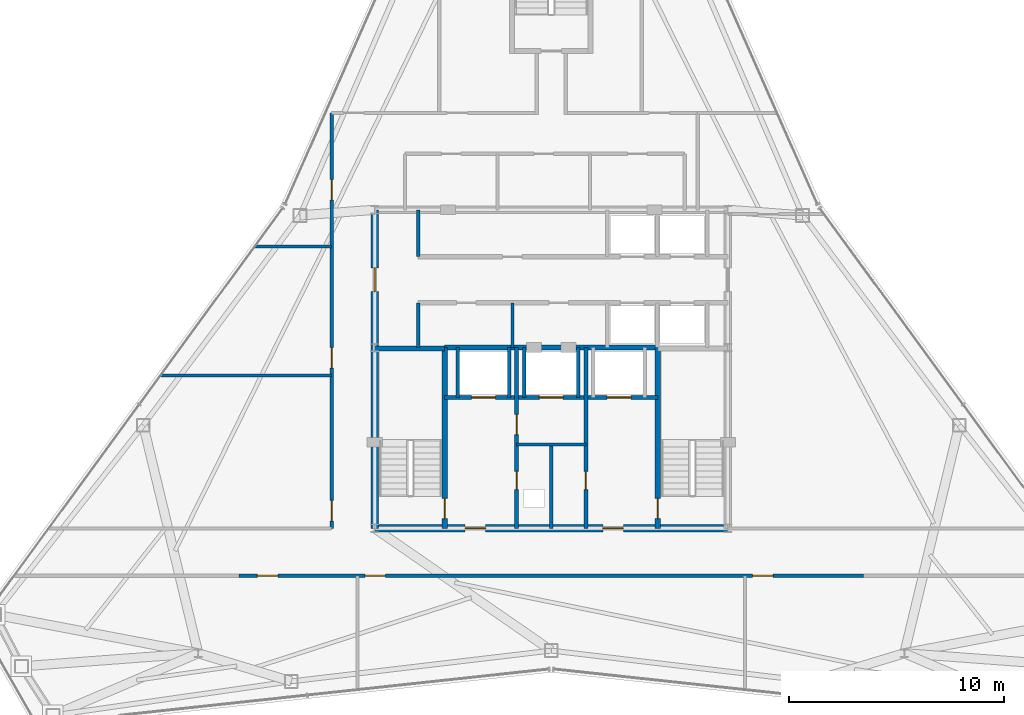
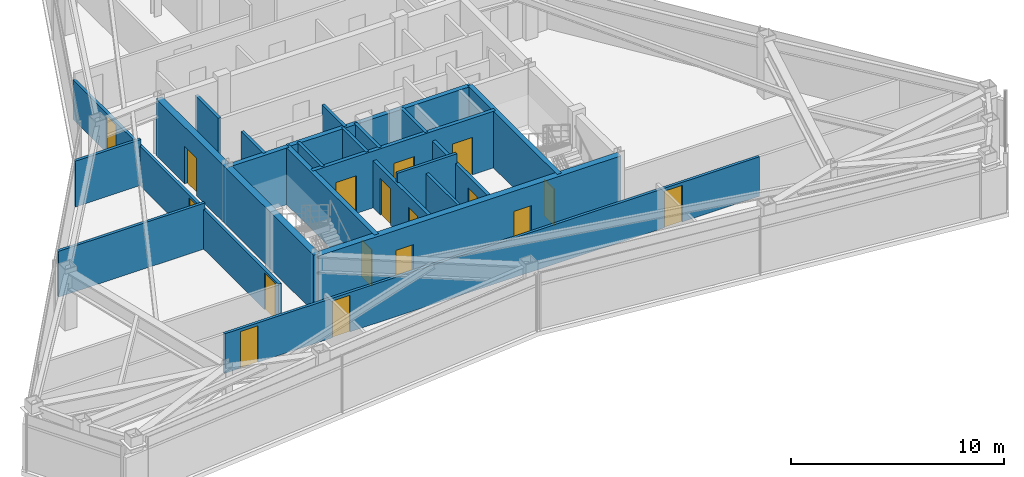
# One storey, part 9 of 12: 22 walls, 17 doors, 17 openings.
"""IFC4 building model written with IfcOpenShell, lengths in metres."""

from ifc_helpers import new_model, si_unit, direction, frame, frame_2d, origin, place, context, subcontext, project, spatial, rectangle, extrude, material, layer, layer_set, type_object, element, fill, save


model = new_model("IFC4")

# Units and contexts
model_context = context("Model", 3, precision=1e-05, world=origin(), true_north=direction((0.0, 1.0)))
body_context = subcontext(model_context, "Body", "Model", "MODEL_VIEW")
ifc_project = project(units=[si_unit("LENGTHUNIT", "METRE"), si_unit("AREAUNIT", "SQUARE_METRE"), si_unit("VOLUMEUNIT", "CUBIC_METRE"), si_unit("PLANEANGLEUNIT", "RADIAN"), si_unit("MASSUNIT", "GRAM", prefix="KILO")], contexts=[model_context])

# Site, building, storey
site_placement = place(None, origin())
site = spatial("IfcSite", under=ifc_project, at=site_placement, CompositionType="ELEMENT")
building_placement = place(site_placement, origin())
building = spatial("IfcBuilding", under=site, at=building_placement, Name="Varakhsha Concourse Tower", CompositionType="ELEMENT")
storey_placement = place(building_placement, frame((0.0, 0.0, 272.5)))
storey = spatial("IfcBuildingStorey", under=building, at=storey_placement, Name="L77", CompositionType="ELEMENT", Elevation=272.5)

# Wall, openings, doors
ifc_material_1 = material(Name="Concrete fc 65 MPa", Category="concrete")
ifc_layer_1 = layer(ifc_material_1, 0.35009765625, Name="WL-CORE-350")
ifc_layer_set_1 = layer_set([ifc_layer_1], Name="Concrete fc 65 MPa")
wall_type_1 = type_object("IfcWallType", Name="WL-CORE-350", PredefinedType="SHEAR", material=ifc_layer_set_1)
wall_1_placement = place(storey_placement, frame((31.800048828125, 16.39990234375, 0.0), z_axis=(0.0, 0.0, 1.0), x_axis=(1.0, 0.0, 0.0)))
wall_1 = element("IfcWall", 1, at=wall_1_placement, inside=storey, type_object=wall_type_1, Name="L77 Wall CWALL-S-L77", PredefinedType="SHEAR", context=body_context, shape_type="SweptSolid", body=[
    extrude(rectangle(XDim=16.39990234375, YDim=0.35009765625, at=frame_2d((8.199951171875, 0.0))), origin(), (0.0, 0.0, 1.0), 3.25),
])
opening_1_placement = place(wall_1_placement, frame((4.199951171875, 0.0, 0.0)))
opening_1 = element("IfcOpeningElement", 2, at=opening_1_placement, cuts=wall_1, Name="Opening DF-05", PredefinedType="OPENING", context=body_context, shape_type="SweptSolid", body=[
    extrude(rectangle(XDim=0.949951171875, YDim=2.10009765625, at=frame_2d((0.47509765625, 1.050048828125))), frame((0.0, 0.18505859375, 0.0), z_axis=(0.0, -1.0, 0.0), x_axis=(1.0, 0.0, 0.0)), (0.0, 0.0, 1.0), 0.3701171875),
])
opening_2_placement = place(wall_1_placement, frame((10.60009765625, 0.0, 0.0)))
opening_2 = element("IfcOpeningElement", 3, at=opening_2_placement, cuts=wall_1, Name="Opening DF-05", PredefinedType="OPENING", context=body_context, shape_type="SweptSolid", body=[
    extrude(rectangle(XDim=0.949951171875, YDim=2.10009765625, at=frame_2d((0.47509765625, 1.050048828125))), frame((0.0, 0.18505859375, 0.0), z_axis=(0.0, -1.0, 0.0), x_axis=(1.0, 0.0, 0.0)), (0.0, 0.0, 1.0), 0.3701171875),
])
ifc_material_2 = material(Name="Hollow Galvanised Steel Fire Door Assembly", Category="steel")
door_type_1 = type_object("IfcDoorType", Name="DR-FD60-950", OperationType="NOTDEFINED", PredefinedType="DOOR", material=ifc_material_2)
door_1_placement = place(opening_1_placement, origin())
door_1 = element("IfcDoor", 4, at=door_1_placement, inside=storey, type_object=door_type_1, Name="L77 Firefighting Lobby West Door", OperationType="SINGLE_SWING_RIGHT", OverallHeight=2.10009765625, OverallWidth=0.949951171875, PredefinedType="DOOR", context=body_context, shape_type="SweptSolid", body=[
    extrude(rectangle(XDim=0.949951171875, YDim=2.10009765625, at=frame_2d((0.47509765625, 1.050048828125))), frame((0.0, 0.02490234375, 0.0), z_axis=(0.0, -1.0, 0.0), x_axis=(1.0, 0.0, 0.0)), (0.0, 0.0, 1.0), 0.050048828125),
])
fill(opening_1, door_1)
door_2_placement = place(opening_2_placement, origin())
door_2 = element("IfcDoor", 5, at=door_2_placement, inside=storey, type_object=door_type_1, Name="L77 Firefighting Lobby East Door", OperationType="SINGLE_SWING_LEFT", OverallHeight=2.10009765625, OverallWidth=0.949951171875, PredefinedType="DOOR", context=body_context, shape_type="SweptSolid", body=[
    extrude(rectangle(XDim=0.949951171875, YDim=2.10009765625, at=frame_2d((0.47509765625, 1.050048828125))), frame((0.0, 0.02490234375, 0.0), z_axis=(0.0, -1.0, 0.0), x_axis=(1.0, 0.0, 0.0)), (0.0, 0.0, 1.0), 0.050048828125),
])
fill(opening_2, door_2)

# Wall, opening, door
wall_2_placement = place(storey_placement, frame((31.800048828125, 16.39990234375, 0.0), z_axis=(0.0, 0.0, 1.0), x_axis=(0.0, 1.0, 0.0)))
wall_2 = element("IfcWall", 6, at=wall_2_placement, inside=storey, type_object=wall_type_1, Name="L77 Wall CWALL-W-L77", PredefinedType="SHEAR", context=body_context, shape_type="SweptSolid", body=[
    extrude(rectangle(XDim=14.800048828125, YDim=0.35009765625, at=frame_2d((7.39990234375, 0.0))), origin(), (0.0, 0.0, 1.0), 3.25),
])
opening_3_placement = place(wall_2_placement, frame((11.0, 0.0, 0.0)))
opening_3 = element("IfcOpeningElement", 7, at=opening_3_placement, cuts=wall_2, Name="Opening DL-01", PredefinedType="OPENING", context=body_context, shape_type="SweptSolid", body=[
    extrude(rectangle(XDim=1.10009765625, YDim=2.14990234375, at=frame_2d((0.550048828125, 1.074951171875))), frame((0.0, 0.18505859375, 0.0), z_axis=(0.0, -1.0, 0.0), x_axis=(1.0, 0.0, 0.0)), (0.0, 0.0, 1.0), 0.3701171875),
])
ifc_material_3 = material(Name="Anodised Bronze Architectural Aluminium AA 6063-T6", Category="aluminium")
door_type_2 = type_object("IfcDoorType", Name="DR-LOB-1100", OperationType="NOTDEFINED", PredefinedType="DOOR", material=ifc_material_3)
door_3_placement = place(opening_3_placement, origin())
door_3 = element("IfcDoor", 8, at=door_3_placement, inside=storey, type_object=door_type_2, Name="L77 Lift Lobby West Concourse Door", OperationType="SINGLE_SWING_LEFT", OverallHeight=2.14990234375, OverallWidth=1.10009765625, PredefinedType="DOOR", context=body_context, shape_type="SweptSolid", body=[
    extrude(rectangle(XDim=1.10009765625, YDim=2.14990234375, at=frame_2d((0.550048828125, 1.074951171875))), frame((0.0, 0.02490234375, 0.0), z_axis=(0.0, -1.0, 0.0), x_axis=(1.0, 0.0, 0.0)), (0.0, 0.0, 1.0), 0.050048828125),
])
fill(opening_3, door_3)

# Wall, openings, doors
ifc_material_4 = material(Name="Fire-Rated Type X Gypsum Partition Assembly", Category="gypsum")
ifc_layer_2 = layer(ifc_material_4, 0.179931640625, Name="WL-FFLOB-180")
ifc_layer_set_2 = layer_set([ifc_layer_2], Name="Fire-Rated Type X Gypsum Partition Assembly")
wall_type_2 = type_object("IfcWallType", Name="WL-FFLOB-180", PredefinedType="PARTITIONING", material=ifc_layer_set_2)
wall_3_placement = place(storey_placement, frame((38.389892578125, 16.39990234375, 0.0), z_axis=(0.0, 0.0, 1.0), x_axis=(0.0, 1.0, 0.0)))
wall_3 = element("IfcWall", 9, at=wall_3_placement, inside=storey, type_object=wall_type_2, Name="L77 Wall FFW-1E-L77", PredefinedType="PARTITIONING", context=body_context, shape_type="SweptSolid", body=[
    extrude(rectangle(XDim=8.400146484375, YDim=0.179931640625, at=frame_2d((4.2001953125, 0.0))), origin(), (0.0, 0.0, 1.0), 2.705078125),
])
opening_4_placement = place(wall_3_placement, frame((1.800048828125, 0.0, 0.0)))
opening_4 = element("IfcOpeningElement", 10, at=opening_4_placement, cuts=wall_3, Name="Opening DF-07", PredefinedType="OPENING", context=body_context, shape_type="SweptSolid", body=[
    extrude(rectangle(XDim=0.85009765625, YDim=2.050048828125, at=frame_2d((0.425048828125, 1.02490234375))), frame((0.0, 0.099853515625, 0.0), z_axis=(0.0, -1.0, 0.0), x_axis=(1.0, 0.0, 0.0)), (0.0, 0.0, 1.0), 0.199951171875),
])
opening_5_placement = place(wall_3_placement, frame((4.35009765625, 0.0, 0.0)))
opening_5 = element("IfcOpeningElement", 11, at=opening_5_placement, cuts=wall_3, Name="Opening DF-05", PredefinedType="OPENING", context=body_context, shape_type="SweptSolid", body=[
    extrude(rectangle(XDim=0.949951171875, YDim=2.10009765625, at=frame_2d((0.47509765625, 1.050048828125))), frame((0.0, 0.099853515625, 0.0), z_axis=(0.0, -1.0, 0.0), x_axis=(1.0, 0.0, 0.0)), (0.0, 0.0, 1.0), 0.199951171875),
])
door_type_3 = type_object("IfcDoorType", Name="DR-FD60-850", OperationType="NOTDEFINED", PredefinedType="DOOR", material=ifc_material_2)
door_4_placement = place(opening_4_placement, origin())
door_4 = element("IfcDoor", 12, at=door_4_placement, inside=storey, type_object=door_type_3, Name="L77 Power Metering Closet Door", OperationType="SINGLE_SWING_LEFT", OverallHeight=2.050048828125, OverallWidth=0.85009765625, PredefinedType="DOOR", context=body_context, shape_type="SweptSolid", body=[
    extrude(rectangle(XDim=0.85009765625, YDim=2.050048828125, at=frame_2d((0.425048828125, 1.02490234375))), frame((0.0, 0.02490234375, 0.0), z_axis=(0.0, -1.0, 0.0), x_axis=(1.0, 0.0, 0.0)), (0.0, 0.0, 1.0), 0.050048828125),
])
fill(opening_4, door_4)
door_5_placement = place(opening_5_placement, origin())
door_5 = element("IfcDoor", 13, at=door_5_placement, inside=storey, type_object=door_type_1, Name="L77 Service Vestibule Door", OperationType="SINGLE_SWING_RIGHT", OverallHeight=2.10009765625, OverallWidth=0.949951171875, PredefinedType="DOOR", context=body_context, shape_type="SweptSolid", body=[
    extrude(rectangle(XDim=0.949951171875, YDim=2.10009765625, at=frame_2d((0.47509765625, 1.050048828125))), frame((0.0, 0.02490234375, 0.0), z_axis=(0.0, -1.0, 0.0), x_axis=(1.0, 0.0, 0.0)), (0.0, 0.0, 1.0), 0.050048828125),
])
fill(opening_5, door_5)

# Wall, opening, door
wall_4_placement = place(storey_placement, frame((41.610107421875, 16.39990234375, 0.0), z_axis=(0.0, 0.0, 1.0), x_axis=(0.0, 1.0, 0.0)))
wall_4 = element("IfcWall", 14, at=wall_4_placement, inside=storey, type_object=wall_type_2, Name="L77 Wall FFW-2W-L77", PredefinedType="PARTITIONING", context=body_context, shape_type="SweptSolid", body=[
    extrude(rectangle(XDim=8.400146484375, YDim=0.179931640625, at=frame_2d((4.2001953125, 0.0))), origin(), (0.0, 0.0, 1.0), 2.705078125),
])
opening_6_placement = place(wall_4_placement, frame((1.800048828125, 0.0, 0.0)))
opening_6 = element("IfcOpeningElement", 15, at=opening_6_placement, cuts=wall_4, Name="Opening DF-07", PredefinedType="OPENING", context=body_context, shape_type="SweptSolid", body=[
    extrude(rectangle(XDim=0.85009765625, YDim=2.050048828125, at=frame_2d((0.425048828125, 1.02490234375))), frame((0.0, 0.099853515625, 0.0), z_axis=(0.0, -1.0, 0.0), x_axis=(1.0, 0.0, 0.0)), (0.0, 0.0, 1.0), 0.199951171875),
])
door_6_placement = place(opening_6_placement, origin())
door_6 = element("IfcDoor", 16, at=door_6_placement, inside=storey, type_object=door_type_3, Name="L77 BMS Control Closet Door", OperationType="SINGLE_SWING_RIGHT", OverallHeight=2.050048828125, OverallWidth=0.85009765625, PredefinedType="DOOR", context=body_context, shape_type="SweptSolid", body=[
    extrude(rectangle(XDim=0.85009765625, YDim=2.050048828125, at=frame_2d((0.425048828125, 1.02490234375))), frame((0.0, 0.02490234375, 0.0), z_axis=(0.0, -1.0, 0.0), x_axis=(1.0, 0.0, 0.0)), (0.0, 0.0, 1.0), 0.050048828125),
])
fill(opening_6, door_6)

# Walls
ifc_layer_3 = layer(ifc_material_4, 0.14990234375, Name="WL-PART-150")
ifc_layer_set_3 = layer_set([ifc_layer_3], Name="Fire-Rated Type X Gypsum Partition Assembly")
wall_type_3 = type_object("IfcWallType", Name="WL-PART-150", PredefinedType="PARTITIONING", material=ifc_layer_set_3)
wall_5_placement = place(storey_placement, frame((38.389892578125, 20.300048828125, 0.0), z_axis=(0.0, 0.0, 1.0), x_axis=(1.0, 0.0, 0.0)))
element("IfcWall", 17, at=wall_5_placement, inside=storey, type_object=wall_type_3, Name="L77 Wall RSW-TH-L77", PredefinedType="PARTITIONING", context=body_context, shape_type="SweptSolid", body=[
    extrude(rectangle(XDim=3.22021484375, YDim=0.14990234375, at=frame_2d((1.610107421875, 0.0))), origin(), (0.0, 0.0, 1.0), 3.25),
])
wall_6_placement = place(storey_placement, frame((40.0, 16.39990234375, 0.0), z_axis=(0.0, 0.0, 1.0), x_axis=(0.0, 1.0, 0.0)))
element("IfcWall", 18, at=wall_6_placement, inside=storey, type_object=wall_type_3, Name="L77 Wall RSW-TV-L77", PredefinedType="PARTITIONING", context=body_context, shape_type="SweptSolid", body=[
    extrude(rectangle(XDim=3.900146484375, YDim=0.14990234375, at=frame_2d((1.9501953125, 0.0))), origin(), (0.0, 0.0, 1.0), 2.705078125),
])
wall_7_placement = place(storey_placement, frame((38.199951171875, 24.800048828125, 0.0), z_axis=(0.0, 0.0, 1.0), x_axis=(0.0, 1.0, 0.0)))
element("IfcWall", 19, at=wall_7_placement, inside=storey, type_object=wall_type_3, Name="L77 Wall P2F-D1-L77", PredefinedType="PARTITIONING", context=body_context, shape_type="SweptSolid", body=[
    extrude(rectangle(XDim=2.079833984375, YDim=0.14990234375, at=frame_2d((1.0400390625, 0.0))), origin(), (0.0, 0.0, 1.0), 3.25),
])

# Wall, openings, doors
wall_8_placement = place(storey_placement, frame((29.800048828125, 16.39990234375, 0.0), z_axis=(0.0, 0.0, 1.0), x_axis=(0.0, 1.0, 0.0)))
wall_8 = element("IfcWall", 20, at=wall_8_placement, inside=storey, type_object=wall_type_3, Name="L77 Wall CRW-W-L77", PredefinedType="PARTITIONING", context=body_context, shape_type="SweptSolid", body=[
    extrude(rectangle(XDim=19.300048828125, YDim=0.14990234375, at=frame_2d((9.64990234375, 0.0))), origin(), (0.0, 0.0, 1.0), 2.264892578125),
])
opening_7_placement = place(wall_8_placement, frame((0.35009765625, 0.0, 0.0)))
opening_7 = element("IfcOpeningElement", 21, at=opening_7_placement, cuts=wall_8, Name="Opening DF-05", PredefinedType="OPENING", context=body_context, shape_type="SweptSolid", body=[
    extrude(rectangle(XDim=0.949951171875, YDim=2.10009765625, at=frame_2d((0.47509765625, 1.050048828125))), frame((0.0, 0.0849609375, 0.0), z_axis=(0.0, -1.0, 0.0), x_axis=(1.0, 0.0, 0.0)), (0.0, 0.0, 1.0), 0.169921875),
])
opening_8_placement = place(wall_8_placement, frame((7.449951171875, 0.0, 0.0)))
opening_8 = element("IfcOpeningElement", 22, at=opening_8_placement, cuts=wall_8, Name="Opening DF-05", PredefinedType="OPENING", context=body_context, shape_type="SweptSolid", body=[
    extrude(rectangle(XDim=0.949951171875, YDim=2.10009765625, at=frame_2d((0.47509765625, 1.050048828125))), frame((0.0, 0.0849609375, 0.0), z_axis=(0.0, -1.0, 0.0), x_axis=(1.0, 0.0, 0.0)), (0.0, 0.0, 1.0), 0.169921875),
])
opening_9_placement = place(wall_8_placement, frame((15.25, 0.0, 0.0)))
opening_9 = element("IfcOpeningElement", 23, at=opening_9_placement, cuts=wall_8, Name="Opening DF-05", PredefinedType="OPENING", context=body_context, shape_type="SweptSolid", body=[
    extrude(rectangle(XDim=0.949951171875, YDim=2.10009765625, at=frame_2d((0.47509765625, 1.050048828125))), frame((0.0, 0.0849609375, 0.0), z_axis=(0.0, -1.0, 0.0), x_axis=(1.0, 0.0, 0.0)), (0.0, 0.0, 1.0), 0.169921875),
])
door_7_placement = place(opening_7_placement, origin())
door_7 = element("IfcDoor", 24, at=door_7_placement, inside=storey, type_object=door_type_1, Name="L77 Legal Research Library L77 Door", OperationType="SINGLE_SWING_RIGHT", OverallHeight=2.10009765625, OverallWidth=0.949951171875, PredefinedType="DOOR", context=body_context, shape_type="SweptSolid", body=[
    extrude(rectangle(XDim=0.949951171875, YDim=2.10009765625, at=frame_2d((0.47509765625, 1.050048828125))), frame((0.0, 0.02490234375, 0.0), z_axis=(0.0, -1.0, 0.0), x_axis=(1.0, 0.0, 0.0)), (0.0, 0.0, 1.0), 0.050048828125),
])
fill(opening_7, door_7)
door_8_placement = place(opening_8_placement, origin())
door_8 = element("IfcDoor", 25, at=door_8_placement, inside=storey, type_object=door_type_1, Name="L77 Senior Partner Chamber L77-W2 Door", OperationType="SINGLE_SWING_LEFT", OverallHeight=2.10009765625, OverallWidth=0.949951171875, PredefinedType="DOOR", context=body_context, shape_type="SweptSolid", body=[
    extrude(rectangle(XDim=0.949951171875, YDim=2.10009765625, at=frame_2d((0.47509765625, 1.050048828125))), frame((0.0, 0.02490234375, 0.0), z_axis=(0.0, -1.0, 0.0), x_axis=(1.0, 0.0, 0.0)), (0.0, 0.0, 1.0), 0.050048828125),
])
fill(opening_8, door_8)
door_9_placement = place(opening_9_placement, origin())
door_9 = element("IfcDoor", 26, at=door_9_placement, inside=storey, type_object=door_type_1, Name="L77 Senior Partner Chamber L77-W3 Door", OperationType="SINGLE_SWING_RIGHT", OverallHeight=2.10009765625, OverallWidth=0.949951171875, PredefinedType="DOOR", context=body_context, shape_type="SweptSolid", body=[
    extrude(rectangle(XDim=0.949951171875, YDim=2.10009765625, at=frame_2d((0.47509765625, 1.050048828125))), frame((0.0, 0.02490234375, 0.0), z_axis=(0.0, -1.0, 0.0), x_axis=(1.0, 0.0, 0.0)), (0.0, 0.0, 1.0), 0.050048828125),
])
fill(opening_9, door_9)

wall_9_placement = place(storey_placement, frame((25.5, 14.199951171875, 0.0), z_axis=(0.0, 0.0, 1.0), x_axis=(1.0, 0.0, 0.0)))
wall_9 = element("IfcWall", 27, at=wall_9_placement, inside=storey, type_object=wall_type_3, Name="L77 Wall CRW-S-DOOR-L77", PredefinedType="PARTITIONING", context=body_context, shape_type="SweptSolid", body=[
    extrude(rectangle(XDim=29.0, YDim=0.14990234375, at=frame_2d((14.5, 0.0))), origin(), (0.0, 0.0, 1.0), 2.264892578125),
])
opening_10_placement = place(wall_9_placement, frame((0.85009765625, 0.0, 0.0)))
opening_10 = element("IfcOpeningElement", 28, at=opening_10_placement, cuts=wall_9, Name="Opening DF-05", PredefinedType="OPENING", context=body_context, shape_type="SweptSolid", body=[
    extrude(rectangle(XDim=0.949951171875, YDim=2.10009765625, at=frame_2d((0.47509765625, 1.050048828125))), frame((0.0, 0.0849609375, 0.0), z_axis=(0.0, -1.0, 0.0), x_axis=(1.0, 0.0, 0.0)), (0.0, 0.0, 1.0), 0.169921875),
])
opening_11_placement = place(wall_9_placement, frame((5.85009765625, 0.0, 0.0)))
opening_11 = element("IfcOpeningElement", 29, at=opening_11_placement, cuts=wall_9, Name="Opening DF-05", PredefinedType="OPENING", context=body_context, shape_type="SweptSolid", body=[
    extrude(rectangle(XDim=0.949951171875, YDim=2.10009765625, at=frame_2d((0.47509765625, 1.050048828125))), frame((0.0, 0.0849609375, 0.0), z_axis=(0.0, -1.0, 0.0), x_axis=(1.0, 0.0, 0.0)), (0.0, 0.0, 1.0), 0.169921875),
])
opening_12_placement = place(wall_9_placement, frame((23.85009765625, 0.0, 0.0)))
opening_12 = element("IfcOpeningElement", 30, at=opening_12_placement, cuts=wall_9, Name="Opening DF-05", PredefinedType="OPENING", context=body_context, shape_type="SweptSolid", body=[
    extrude(rectangle(XDim=0.949951171875, YDim=2.10009765625, at=frame_2d((0.47509765625, 1.050048828125))), frame((0.0, 0.0849609375, 0.0), z_axis=(0.0, -1.0, 0.0), x_axis=(1.0, 0.0, 0.0)), (0.0, 0.0, 1.0), 0.169921875),
])
door_10_placement = place(opening_10_placement, origin())
door_10 = element("IfcDoor", 31, at=door_10_placement, inside=storey, type_object=door_type_1, Name="L77 Deposition Conference Room L77-S1 Door", OperationType="SINGLE_SWING_LEFT", OverallHeight=2.10009765625, OverallWidth=0.949951171875, PredefinedType="DOOR", context=body_context, shape_type="SweptSolid", body=[
    extrude(rectangle(XDim=0.949951171875, YDim=2.10009765625, at=frame_2d((0.47509765625, 1.050048828125))), frame((0.0, 0.02490234375, 0.0), z_axis=(0.0, -1.0, 0.0), x_axis=(1.0, 0.0, 0.0)), (0.0, 0.0, 1.0), 0.050048828125),
])
fill(opening_10, door_10)
door_11_placement = place(opening_11_placement, origin())
door_11 = element("IfcDoor", 32, at=door_11_placement, inside=storey, type_object=door_type_1, Name="L77 Senior Partner Chamber L77-S2 Door", OperationType="SINGLE_SWING_RIGHT", OverallHeight=2.10009765625, OverallWidth=0.949951171875, PredefinedType="DOOR", context=body_context, shape_type="SweptSolid", body=[
    extrude(rectangle(XDim=0.949951171875, YDim=2.10009765625, at=frame_2d((0.47509765625, 1.050048828125))), frame((0.0, 0.02490234375, 0.0), z_axis=(0.0, -1.0, 0.0), x_axis=(1.0, 0.0, 0.0)), (0.0, 0.0, 1.0), 0.050048828125),
])
fill(opening_11, door_11)
door_12_placement = place(opening_12_placement, origin())
door_12 = element("IfcDoor", 33, at=door_12_placement, inside=storey, type_object=door_type_1, Name="L77 Senior Partner Chamber L77-S3 Door", OperationType="SINGLE_SWING_LEFT", OverallHeight=2.10009765625, OverallWidth=0.949951171875, PredefinedType="DOOR", context=body_context, shape_type="SweptSolid", body=[
    extrude(rectangle(XDim=0.949951171875, YDim=2.10009765625, at=frame_2d((0.47509765625, 1.050048828125))), frame((0.0, 0.02490234375, 0.0), z_axis=(0.0, -1.0, 0.0), x_axis=(1.0, 0.0, 0.0)), (0.0, 0.0, 1.0), 0.050048828125),
])
fill(opening_12, door_12)

# Walls
wall_10_placement = place(storey_placement, frame((21.852294921875, 23.5, 0.0), z_axis=(0.0, 0.0, 1.0), x_axis=(1.0, 0.0, 0.0)))
element("IfcWall", 34, at=wall_10_placement, inside=storey, type_object=wall_type_3, Name="L77 Wall ODIV-W1-L77", PredefinedType="PARTITIONING", context=body_context, shape_type="SweptSolid", body=[
    extrude(rectangle(XDim=7.94775390625, YDim=0.14990234375, at=frame_2d((3.973876953125, 0.0))), origin(), (0.0, 0.0, 1.0), 2.6279296875),
])
wall_11_placement = place(storey_placement, frame((26.236328125, 29.5, 0.0), z_axis=(0.0, 0.0, 1.0), x_axis=(1.0, 0.0, 0.0)))
element("IfcWall", 35, at=wall_11_placement, inside=storey, type_object=wall_type_3, Name="L77 Wall ODIV-W2-L77", PredefinedType="PARTITIONING", context=body_context, shape_type="SweptSolid", body=[
    extrude(rectangle(XDim=3.563720703125, YDim=0.14990234375, at=frame_2d((1.78173828125, 0.0))), origin(), (0.0, 0.0, 1.0), 2.6279296875),
])

# Wall, openings, doors
ifc_layer_4 = layer(ifc_material_4, 0.199951171875, Name="WL-SHAFT-220")
ifc_layer_set_4 = layer_set([ifc_layer_4], Name="Fire-Rated Type X Gypsum Partition Assembly")
wall_type_4 = type_object("IfcWallType", Name="WL-SHAFT-220", PredefinedType="SOLIDWALL", material=ifc_layer_set_4)
wall_12_placement = place(storey_placement, frame((35.044921875, 22.47998046875, 0.0), z_axis=(0.0, 0.0, 1.0), x_axis=(1.0, 0.0, 0.0)))
wall_12 = element("IfcWall", 36, at=wall_12_placement, inside=storey, type_object=wall_type_4, Name="L77 Wall FFW-NH-L77", PredefinedType="SOLIDWALL", context=body_context, shape_type="SweptSolid", body=[
    extrude(rectangle(XDim=9.91015625, YDim=0.199951171875, at=frame_2d((4.955078125, 0.0))), origin(), (0.0, 0.0, 1.0), 3.25),
])
opening_13_placement = place(wall_12_placement, frame((1.2548828125, 0.0, 0.0)))
opening_13 = element("IfcOpeningElement", 37, at=opening_13_placement, cuts=wall_12, Name="Opening LD-FFL-1", PredefinedType="OPENING", context=body_context, shape_type="SweptSolid", body=[
    extrude(rectangle(XDim=1.10009765625, YDim=2.14990234375, at=frame_2d((0.550048828125, 1.074951171875))), frame((0.0, 0.10986328125, 0.0), z_axis=(0.0, -1.0, 0.0), x_axis=(1.0, 0.0, 0.0)), (0.0, 0.0, 1.0), 0.219970703125),
])
opening_14_placement = place(wall_12_placement, frame((7.554931640625, 0.0, 0.0)))
opening_14 = element("IfcOpeningElement", 38, at=opening_14_placement, cuts=wall_12, Name="Opening LD-FFL-2", PredefinedType="OPENING", context=body_context, shape_type="SweptSolid", body=[
    extrude(rectangle(XDim=1.10009765625, YDim=2.14990234375, at=frame_2d((0.550048828125, 1.074951171875))), frame((0.0, 0.10986328125, 0.0), z_axis=(0.0, -1.0, 0.0), x_axis=(1.0, 0.0, 0.0)), (0.0, 0.0, 1.0), 0.219970703125),
])
opening_15_placement = place(wall_12_placement, frame((4.405029296875, 0.0, 0.0)))
opening_15 = element("IfcOpeningElement", 39, at=opening_15_placement, cuts=wall_12, Name="Opening LD-SVL-1", PredefinedType="OPENING", context=body_context, shape_type="SweptSolid", body=[
    extrude(rectangle(XDim=1.10009765625, YDim=2.14990234375, at=frame_2d((0.550048828125, 1.074951171875))), frame((0.0, 0.10986328125, 0.0), z_axis=(0.0, -1.0, 0.0), x_axis=(1.0, 0.0, 0.0)), (0.0, 0.0, 1.0), 0.219970703125),
])
ifc_material_5 = material(Name="Brushed Austenitic Stainless Steel AISI 316", Category="steel")
door_type_4 = type_object("IfcDoorType", Name="DR-LD-1100", OperationType="DOUBLE_DOOR_SLIDING", PredefinedType="DOOR", material=ifc_material_5)
door_13_placement = place(opening_13_placement, origin())
door_13 = element("IfcDoor", 40, at=door_13_placement, inside=storey, type_object=door_type_4, Name="Lift Landing Door FFL-1 L77", OperationType="DOUBLE_DOOR_SLIDING", OverallHeight=2.14990234375, OverallWidth=1.10009765625, PredefinedType="DOOR", context=body_context, shape_type="SweptSolid", body=[
    extrude(rectangle(XDim=1.10009765625, YDim=2.14990234375, at=frame_2d((0.550048828125, 1.074951171875))), frame((0.0, 0.02490234375, 0.0), z_axis=(0.0, -1.0, 0.0), x_axis=(1.0, 0.0, 0.0)), (0.0, 0.0, 1.0), 0.050048828125),
])
fill(opening_13, door_13)
door_14_placement = place(opening_14_placement, origin())
door_14 = element("IfcDoor", 41, at=door_14_placement, inside=storey, type_object=door_type_4, Name="Lift Landing Door FFL-2 L77", OperationType="DOUBLE_DOOR_SLIDING", OverallHeight=2.14990234375, OverallWidth=1.10009765625, PredefinedType="DOOR", context=body_context, shape_type="SweptSolid", body=[
    extrude(rectangle(XDim=1.10009765625, YDim=2.14990234375, at=frame_2d((0.550048828125, 1.074951171875))), frame((0.0, 0.02490234375, 0.0), z_axis=(0.0, -1.0, 0.0), x_axis=(1.0, 0.0, 0.0)), (0.0, 0.0, 1.0), 0.050048828125),
])
fill(opening_14, door_14)
door_15_placement = place(opening_15_placement, origin())
door_15 = element("IfcDoor", 42, at=door_15_placement, inside=storey, type_object=door_type_4, Name="Lift Landing Door SVL-1 L77", OperationType="DOUBLE_DOOR_SLIDING", OverallHeight=2.14990234375, OverallWidth=1.10009765625, PredefinedType="DOOR", context=body_context, shape_type="SweptSolid", body=[
    extrude(rectangle(XDim=1.10009765625, YDim=2.14990234375, at=frame_2d((0.550048828125, 1.074951171875))), frame((0.0, 0.02490234375, 0.0), z_axis=(0.0, -1.0, 0.0), x_axis=(1.0, 0.0, 0.0)), (0.0, 0.0, 1.0), 0.050048828125),
])
fill(opening_15, door_15)

# Walls
for number, where, z_axis, x_axis, name in (
    (43, (35.64990234375, 22.47998046875, 0.0), (0.0, 0.0, 1.0), (0.0, 1.0, 0.0), "L77 Wall SHW-FFL-1-W-L77"),
    (44, (38.050048828125, 22.47998046875, 0.0), (0.0, 0.0, 1.0), (0.0, 1.0, 0.0), "L77 Wall SHW-FFL-1-E-L77"),
    (45, (38.75, 22.47998046875, 0.0), (0.0, 0.0, 1.0), (0.0, 1.0, 0.0), "L77 Wall SHW-SVL-1-W-L77"),
    (46, (41.25, 22.47998046875, 0.0), (0.0, 0.0, 1.0), (0.0, 1.0, 0.0), "L77 Wall SHW-SVL-1-E-L77"),
):
    element("IfcWall", number, at=place(storey_placement, frame(where, z_axis=z_axis, x_axis=x_axis)), inside=storey, type_object=wall_type_4, Name=name, PredefinedType="SOLIDWALL", context=body_context, shape_type="SweptSolid", body=[
        extrude(rectangle(XDim=2.320068359375, YDim=0.159912109375, at=frame_2d((1.16015625, 0.0))), origin(), (0.0, 0.0, 1.0), 3.25),
    ])
wall_13_placement = place(storey_placement, frame((33.820068359375, 29.02001953125, 0.0), z_axis=(0.0, 0.0, 1.0), x_axis=(0.0, 1.0, 0.0)))
element("IfcWall", 47, at=wall_13_placement, inside=storey, type_object=wall_type_4, Name="L77 Wall WBOH-E1-L77", PredefinedType="SOLIDWALL", context=body_context, shape_type="SweptSolid", body=[
    extrude(rectangle(XDim=2.179931640625, YDim=0.159912109375, at=frame_2d((1.08984375, 0.0))), origin(), (0.0, 0.0, 1.0), 2.705078125),
])
wall_14_placement = place(storey_placement, frame((33.820068359375, 24.800048828125, 0.0), z_axis=(0.0, 0.0, 1.0), x_axis=(0.0, 1.0, 0.0)))
element("IfcWall", 48, at=wall_14_placement, inside=storey, type_object=wall_type_4, Name="L77 Wall WBOH-E2-L77", PredefinedType="SOLIDWALL", context=body_context, shape_type="SweptSolid", body=[
    extrude(rectangle(XDim=2.079833984375, YDim=0.159912109375, at=frame_2d((1.0400390625, 0.0))), origin(), (0.0, 0.0, 1.0), 3.25),
])

# Wall, opening, door
ifc_material_6 = material(Name="Concrete fc 45 MPa", Category="concrete")
ifc_layer_5 = layer(ifc_material_6, 0.25, Name="WL-STAIR-250")
ifc_layer_set_5 = layer_set([ifc_layer_5], Name="Concrete fc 45 MPa")
wall_type_5 = type_object("IfcWallType", Name="WL-STAIR-250", PredefinedType="SHEAR", material=ifc_layer_set_5)
wall_15_placement = place(storey_placement, frame((35.044921875, 16.39990234375, 0.0), z_axis=(0.0, 0.0, 1.0), x_axis=(0.0, 1.0, 0.0)))
wall_15 = element("IfcWall", 49, at=wall_15_placement, inside=storey, type_object=wall_type_5, Name="L77 Wall SWALL-ST1-E-L77", PredefinedType="SHEAR", context=body_context, shape_type="SweptSolid", body=[
    extrude(rectangle(XDim=8.400146484375, YDim=0.25, at=frame_2d((4.2001953125, 0.0))), origin(), (0.0, 0.0, 1.0), 3.25),
])
opening_16_placement = place(wall_15_placement, frame((0.449951171875, 0.0, 0.0)))
opening_16 = element("IfcOpeningElement", 50, at=opening_16_placement, cuts=wall_15, Name="Opening DF-03", PredefinedType="OPENING", context=body_context, shape_type="SweptSolid", body=[
    extrude(rectangle(XDim=0.949951171875, YDim=2.10009765625, at=frame_2d((0.47509765625, 1.050048828125))), frame((0.0, 0.135009765625, 0.0), z_axis=(0.0, -1.0, 0.0), x_axis=(1.0, 0.0, 0.0)), (0.0, 0.0, 1.0), 0.27001953125),
])
door_type_5 = type_object("IfcDoorType", Name="DR-FD90-950", OperationType="NOTDEFINED", PredefinedType="DOOR", material=ifc_material_2)
door_16_placement = place(opening_16_placement, origin())
door_16 = element("IfcDoor", 51, at=door_16_placement, inside=storey, type_object=door_type_5, Name="L77 Stair ST1 Fire Door", OperationType="SINGLE_SWING_LEFT", OverallHeight=2.10009765625, OverallWidth=0.949951171875, PredefinedType="DOOR", context=body_context, shape_type="SweptSolid", body=[
    extrude(rectangle(XDim=0.949951171875, YDim=2.10009765625, at=frame_2d((0.47509765625, 1.050048828125))), frame((0.0, 0.02490234375, 0.0), z_axis=(0.0, -1.0, 0.0), x_axis=(1.0, 0.0, 0.0)), (0.0, 0.0, 1.0), 0.050048828125),
])
fill(opening_16, door_16)

# Wall
wall_16_placement = place(storey_placement, frame((31.800048828125, 24.7548828125, 0.0), z_axis=(0.0, 0.0, 1.0), x_axis=(1.0, 0.0, 0.0)))
element("IfcWall", 52, at=wall_16_placement, inside=storey, type_object=wall_type_5, Name="L77 Wall SWALL-ST1-N-L77", PredefinedType="SHEAR", context=body_context, shape_type="SweptSolid", body=[
    extrude(rectangle(XDim=3.244873046875, YDim=0.25, at=frame_2d((1.62255859375, 0.0))), origin(), (0.0, 0.0, 1.0), 3.25),
])

# Wall, opening, door
wall_17_placement = place(storey_placement, frame((44.955078125, 16.39990234375, 0.0), z_axis=(0.0, 0.0, 1.0), x_axis=(0.0, 1.0, 0.0)))
wall_17 = element("IfcWall", 53, at=wall_17_placement, inside=storey, type_object=wall_type_5, Name="L77 Wall SWALL-ST2-W-L77", PredefinedType="SHEAR", context=body_context, shape_type="SweptSolid", body=[
    extrude(rectangle(XDim=8.400146484375, YDim=0.25, at=frame_2d((4.2001953125, 0.0))), origin(), (0.0, 0.0, 1.0), 3.25),
])
opening_17_placement = place(wall_17_placement, frame((0.449951171875, 0.0, 0.0)))
opening_17 = element("IfcOpeningElement", 54, at=opening_17_placement, cuts=wall_17, Name="Opening DF-03", PredefinedType="OPENING", context=body_context, shape_type="SweptSolid", body=[
    extrude(rectangle(XDim=0.949951171875, YDim=2.10009765625, at=frame_2d((0.47509765625, 1.050048828125))), frame((0.0, 0.135009765625, 0.0), z_axis=(0.0, -1.0, 0.0), x_axis=(1.0, 0.0, 0.0)), (0.0, 0.0, 1.0), 0.27001953125),
])
door_17_placement = place(opening_17_placement, origin())
door_17 = element("IfcDoor", 55, at=door_17_placement, inside=storey, type_object=door_type_5, Name="L77 Stair ST2 Fire Door", OperationType="SINGLE_SWING_RIGHT", OverallHeight=2.10009765625, OverallWidth=0.949951171875, PredefinedType="DOOR", context=body_context, shape_type="SweptSolid", body=[
    extrude(rectangle(XDim=0.949951171875, YDim=2.10009765625, at=frame_2d((0.47509765625, 1.050048828125))), frame((0.0, 0.02490234375, 0.0), z_axis=(0.0, -1.0, 0.0), x_axis=(1.0, 0.0, 0.0)), (0.0, 0.0, 1.0), 0.050048828125),
])
fill(opening_17, door_17)

# Wall
wall_18_placement = place(storey_placement, frame((35.044921875, 24.800048828125, 0.0), z_axis=(0.0, 0.0, 1.0), x_axis=(1.0, 0.0, 0.0)))
element("IfcWall", 56, at=wall_18_placement, inside=storey, type_object=wall_type_5, Name="L77 Wall SWALL-MID-H-L77", PredefinedType="SHEAR", context=body_context, shape_type="SweptSolid", body=[
    extrude(rectangle(XDim=9.91015625, YDim=0.25, at=frame_2d((4.955078125, 0.0))), origin(), (0.0, 0.0, 1.0), 3.25),
])

save(model, "model.ifc")
